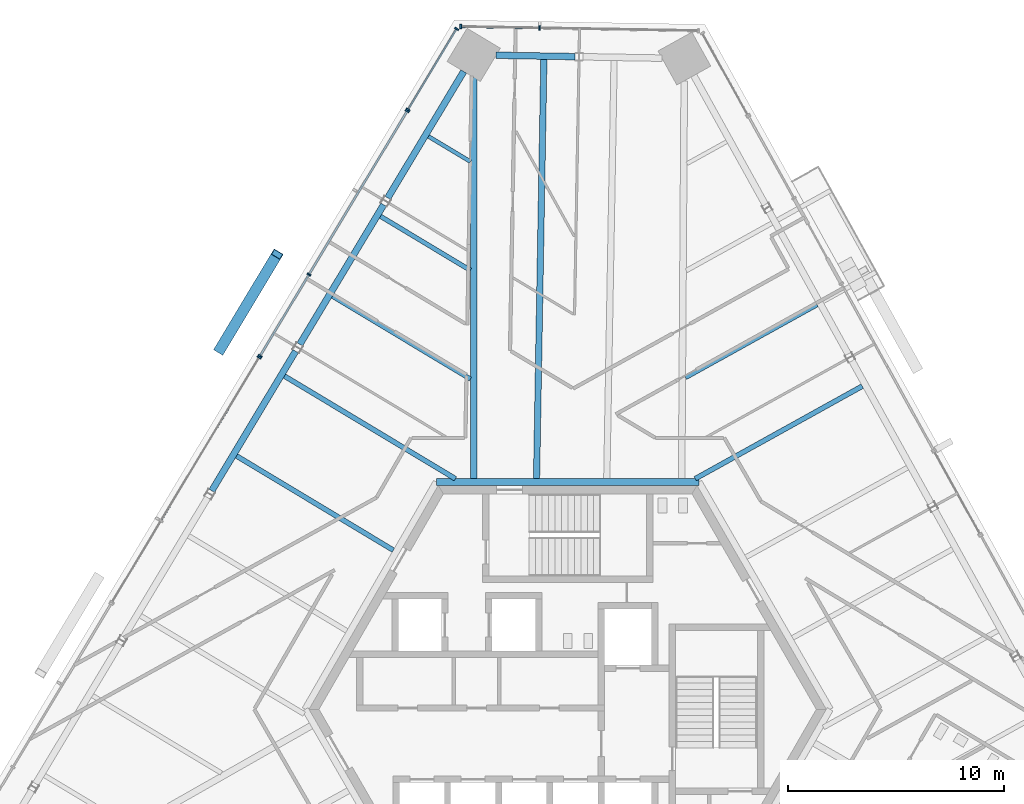
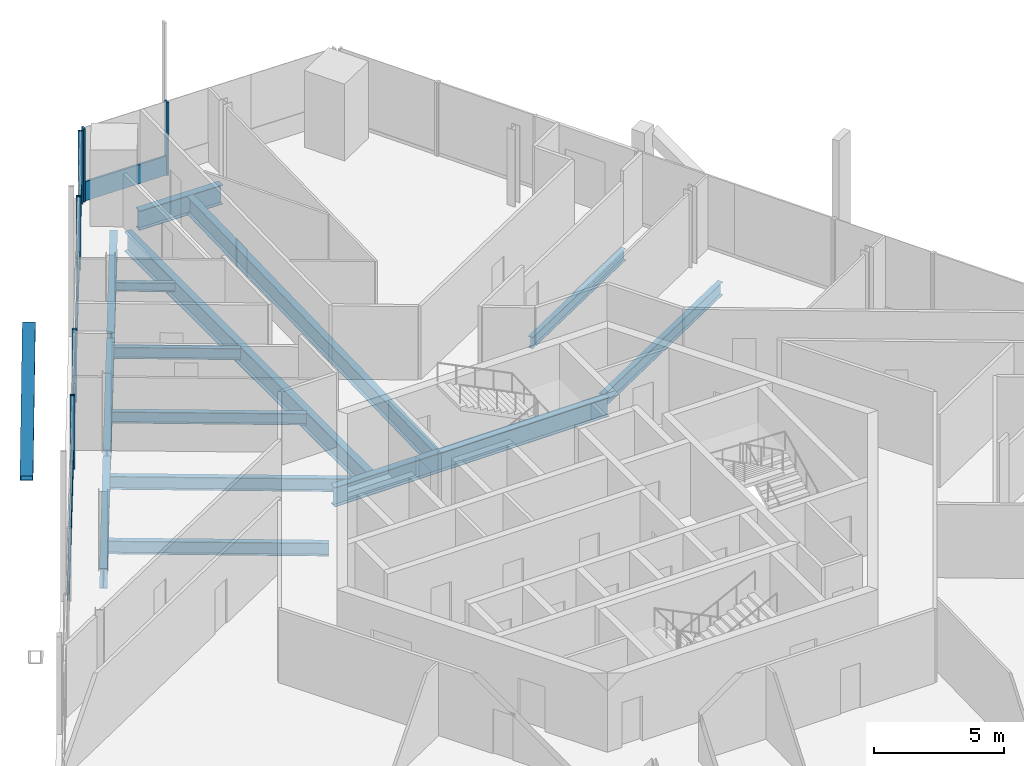
# One storey, part 8 of 21: 14 beams, 14 members, 4 elements without a shape of their own.
"""IFC4 building model written with IfcOpenShell, lengths in metres."""

import ifcopenshell
import ifcopenshell.guid

model = None  # the IFC model being written
_history = None  # IfcOwnerHistory: only IFC2X3 demands one
_inside = {}  # id of a spatial element -> (the spatial element, [elements in it])
_under = {}  # id of a project, library or spatial element -> (it, [spatial elements below it])
_declared = {}  # id of a project -> (the project, [libraries it declares])
_typed = {}  # id of a type object -> (the type object, [elements of that type])
_made_of = {}  # id of a material, layer set ... -> (it, [elements and type objects made of it])


def new_model(schema):
    """Start an empty IFC model of exactly this schema.

    Asked for "IFC4X3", IfcOpenShell would pick the latest addendum, in which some entities
    have other attributes; the version numbers below select the first issue.
    IFC2X3 requires an IfcOwnerHistory on every rooted entity: one is made here for all.
    """
    global model, _history
    if schema == "IFC4X3":
        model = ifcopenshell.file(schema_version=(4, 3, 0, 0))
    else:
        model = ifcopenshell.file(schema=schema)
    _inside.clear()
    _under.clear()
    _declared.clear()
    _typed.clear()
    _made_of.clear()
    _history = None
    if model.schema == "IFC2X3":
        org = make("IfcOrganization", Name="unknown")
        user = make(
            "IfcPersonAndOrganization",
            ThePerson=make("IfcPerson", FamilyName="unknown"),
            TheOrganization=org,
        )
        app = make(
            "IfcApplication",
            ApplicationDeveloper=org,
            Version="unknown",
            ApplicationFullName="unknown",
            ApplicationIdentifier="unknown",
        )
        _history = make(
            "IfcOwnerHistory",
            OwningUser=user,
            OwningApplication=app,
            ChangeAction="ADDED",
            CreationDate=0,
        )
    return model


def make(cls, **values):
    """One entity of the class cls with the attributes given. An attribute that is None is left unset."""
    return model.create_entity(
        cls, **{name: value for name, value in values.items() if value is not None}
    )


def rooted(cls, **values):
    """An entity with a GlobalId (a new one), such as an element, a storey or a relation."""
    return make(cls, GlobalId=ifcopenshell.guid.new(), OwnerHistory=_history, **values)


def si_unit(unit_type, name, prefix=None):
    """IfcSIUnit, for example si_unit("LENGTHUNIT", "METRE", prefix="MILLI")."""
    return make("IfcSIUnit", UnitType=unit_type, Prefix=prefix, Name=name)


def assignment(units):
    """IfcUnitAssignment: the units of a project."""
    return None if units is None else make("IfcUnitAssignment", Units=units)


def point(xyz):
    """IfcCartesianPoint."""
    return None if xyz is None else make("IfcCartesianPoint", Coordinates=xyz)


def direction(xyz):
    """IfcDirection."""
    return None if xyz is None else make("IfcDirection", DirectionRatios=xyz)


def frame(location, z_axis=None, x_axis=None):
    """IfcAxis2Placement3D, a coordinate frame: its origin and axes. An axis left out is left unset."""
    return make(
        "IfcAxis2Placement3D",
        Location=point(location),
        Axis=direction(z_axis),
        RefDirection=direction(x_axis),
    )


def frame_2d(location, x_axis=None):
    """IfcAxis2Placement2D, a coordinate frame in the plane: its origin and x axis."""
    return make(
        "IfcAxis2Placement2D", Location=point(location), RefDirection=direction(x_axis)
    )


def origin():
    """The frame at (0, 0, 0) with its axes left unset."""
    return frame((0.0, 0.0, 0.0))


def origin_2d():
    """The frame at (0, 0) in the plane with its x axis left unset."""
    return frame_2d((0.0, 0.0))


def place(relative_to, where):
    """IfcLocalPlacement: puts the frame where relative to a parent placement (None: the world)."""
    return make(
        "IfcLocalPlacement", PlacementRelTo=relative_to, RelativePlacement=where
    )


def context(
    kind, dimensions, precision=None, world=None, true_north=None, identifier=None
):
    """IfcGeometricRepresentationContext, for example the 3D "Model" context."""
    return make(
        "IfcGeometricRepresentationContext",
        ContextIdentifier=identifier,
        ContextType=kind,
        CoordinateSpaceDimension=dimensions,
        Precision=precision,
        WorldCoordinateSystem=world,
        TrueNorth=true_north,
    )


def subcontext(parent, identifier, kind, view, scale=None):
    """IfcGeometricRepresentationSubContext, for example "Body" below "Model"."""
    return make(
        "IfcGeometricRepresentationSubContext",
        ContextIdentifier=identifier,
        ContextType=kind,
        ParentContext=parent,
        TargetScale=scale,
        TargetView=view,
    )


def project(units=None, contexts=None):
    """IfcProject with its units and contexts."""
    return rooted(
        "IfcProject",
        Name="project",
        RepresentationContexts=contexts,
        UnitsInContext=assignment(units),
    )


def spatial(cls, under=None, at=None, **own):
    """A site, building, storey or space (cls), placed at a placement, below another one or the project."""
    s = rooted(cls, ObjectPlacement=at, **own)
    if under is not None:
        _under.setdefault(under.id(), (under, []))[1].append(s)
    return s


def profile(cls, at=None, kind="AREA", **sizes):
    """A parametric profile (cls). Its sizes go by their IFC names, for example OverallWidth=200.0."""
    return make(cls, ProfileType=kind, Position=at, **sizes)


def rectangle(**sizes):
    """IfcRectangleProfileDef."""
    return profile("IfcRectangleProfileDef", **sizes)


def hollow_rectangle(**sizes):
    """IfcRectangleHollowProfileDef."""
    return profile("IfcRectangleHollowProfileDef", **sizes)


def i_section(**sizes):
    """IfcIShapeProfileDef."""
    return profile("IfcIShapeProfileDef", **sizes)


def extrude(swept, where, along, depth):
    """IfcExtrudedAreaSolid: the profile swept, set in the frame where, extruded along a direction by depth."""
    return make(
        "IfcExtrudedAreaSolid",
        SweptArea=swept,
        Position=where,
        ExtrudedDirection=direction(along),
        Depth=depth,
    )


def shape(context_of_items, identifier, shape_type, items):
    """IfcShapeRepresentation: the items that make up one representation, for example the "Body"."""
    return make(
        "IfcShapeRepresentation",
        ContextOfItems=context_of_items,
        RepresentationIdentifier=identifier,
        RepresentationType=shape_type,
        Items=items,
    )


def source(mapping_origin, context_of_items, identifier, shape_type, items):
    """IfcRepresentationMap: a shape defined once, which mapped items show again and again."""
    return make(
        "IfcRepresentationMap",
        MappingOrigin=mapping_origin,
        MappedRepresentation=shape(context_of_items, identifier, shape_type, items),
    )


def transform(
    local_origin,
    x_axis=None,
    y_axis=None,
    z_axis=None,
    scale=None,
    scale2=None,
    scale3=None,
    uniform=True,
):
    """IfcCartesianTransformationOperator3D, or its non-uniform kind. x_axis, y_axis, z_axis: its Axis1, 2, 3."""
    if uniform:
        return make(
            "IfcCartesianTransformationOperator3D",
            Axis1=direction(x_axis),
            Axis2=direction(y_axis),
            LocalOrigin=point(local_origin),
            Scale=scale,
            Axis3=direction(z_axis),
        )
    return make(
        "IfcCartesianTransformationOperator3DnonUniform",
        Axis1=direction(x_axis),
        Axis2=direction(y_axis),
        LocalOrigin=point(local_origin),
        Scale=scale,
        Axis3=direction(z_axis),
        Scale2=scale2,
        Scale3=scale3,
    )


def mapped(mapping_source, mapping_target):
    """IfcMappedItem: shows the shape of a source again, moved by a transform."""
    return make(
        "IfcMappedItem", MappingSource=mapping_source, MappingTarget=mapping_target
    )


def material(Name=None, Category=None):
    """IfcMaterial."""
    return make("IfcMaterial", Name=Name, Category=Category)


def material_profile(
    of_material, cross_section, Name=None, Category=None, Priority=None
):
    """IfcMaterialProfile: a cross section and its material."""
    return make(
        "IfcMaterialProfile",
        Name=Name,
        Material=of_material,
        Profile=cross_section,
        Priority=Priority,
        Category=Category,
    )


def profile_set(profiles, Name=None, composite=None):
    """IfcMaterialProfileSet."""
    return make(
        "IfcMaterialProfileSet",
        Name=Name,
        MaterialProfiles=profiles,
        CompositeProfile=composite,
    )


def made_of(thing, what):
    """Note that an element or type object is made of a material, layer set ...; save() writes the relation."""
    if what is not None:
        _made_of.setdefault(what.id(), (what, []))[1].append(thing)
    return thing


def type_object(cls, material=None, **own):
    """A type object (cls), such as IfcWallType, which elements share."""
    return made_of(rooted(cls, **own), material)


def element(
    cls,
    number,
    at=None,
    inside=None,
    cuts=None,
    type_object=None,
    material=None,
    context=None,
    identifier="Body",
    shape_type=None,
    held_by="IfcProductDefinitionShape",
    body=None,
    shapes=None,
    **own,
):
    """One element of the class cls, such as IfcWall. Its Tag is "e" and its number.

    at: its placement. inside: the storey or other place that contains it. cuts: it is an
    opening in that element (IfcRelVoidsElement). A single representation is given by context,
    identifier, shape_type and body (its items); several are given by shapes. held_by: the class
    of the entity that holds the representations. save() writes the other relations.
    """
    e = rooted(cls, Tag="e%d" % number, ObjectPlacement=at, **own)
    if body is not None:
        shapes = [shape(context, identifier, shape_type, body)]
    if shapes is not None:
        e.Representation = make(held_by, Representations=shapes)
    if inside is not None:
        _inside.setdefault(inside.id(), (inside, []))[1].append(e)
    if cuts is not None:
        rooted(
            "IfcRelVoidsElement", RelatingBuildingElement=cuts, RelatedOpeningElement=e
        )
    if type_object is not None:
        _typed.setdefault(type_object.id(), (type_object, []))[1].append(e)
    return made_of(e, material)


def aggregate(whole, parts):
    """IfcRelAggregates: a whole, such as a stair, and the parts it consists of."""
    return rooted("IfcRelAggregates", RelatingObject=whole, RelatedObjects=parts)


def save(model, path):
    """Write the relations noted so far, then the file.

    IfcRelAggregates (storeys below a building ...), IfcRelContainedInSpatialStructure (elements
    in a storey), IfcRelDefinesByType, IfcRelAssociatesMaterial and IfcRelDeclares: one each for
    every whole, place, type object, material and project.
    """
    for whole, parts in _under.values():
        aggregate(whole, parts)
    for where, things in _inside.values():
        rooted(
            "IfcRelContainedInSpatialStructure",
            RelatedElements=things,
            RelatingStructure=where,
        )
    for kind, things in _typed.values():
        rooted("IfcRelDefinesByType", RelatedObjects=things, RelatingType=kind)
    for what, things in _made_of.values():
        rooted("IfcRelAssociatesMaterial", RelatedObjects=things, RelatingMaterial=what)
    for by, libraries in _declared.values():
        rooted("IfcRelDeclares", RelatingContext=by, RelatedDefinitions=libraries)
    model.write(path)


model = new_model("IFC4")

# Units and contexts
model_context = context("Model", 3, precision=1e-05, world=origin(), true_north=direction((0.0, 1.0)))
body_context = subcontext(model_context, "Body", "Model", "MODEL_VIEW")
ifc_project = project(units=[si_unit("LENGTHUNIT", "METRE"), si_unit("AREAUNIT", "SQUARE_METRE"), si_unit("VOLUMEUNIT", "CUBIC_METRE"), si_unit("PLANEANGLEUNIT", "RADIAN"), si_unit("MASSUNIT", "GRAM", prefix="KILO")], contexts=[model_context])

# Site, building, storey
site_placement = place(None, origin())
site = spatial("IfcSite", under=ifc_project, at=site_placement, CompositionType="ELEMENT")
building_placement = place(site_placement, origin())
building = spatial("IfcBuilding", under=site, at=building_placement, Name="Triune Harvest Tower", CompositionType="ELEMENT")
storey_placement = place(building_placement, frame((0.0, 0.0, 201.5)))
storey = spatial("IfcBuildingStorey", under=building, at=storey_placement, Name="L52", CompositionType="ELEMENT", Elevation=201.5)

# Beams
ifc_material_1 = material(Name="Steel ASTM A992 Gr 50", Category="steel")
ifc_material_profile_1 = material_profile(ifc_material_1, i_section(OverallWidth=0.3046875, OverallDepth=0.914306640625, WebThickness=0.0166015625, FlangeThickness=0.02587890625, at=origin_2d()), Name="W36x160")
ifc_profile_set_1 = profile_set([ifc_material_profile_1], Name="Steel ASTM A992 Gr 50")
beam_type_1 = type_object("IfcBeamType", Name="CG-1 Core ring girder W36x160", PredefinedType="BEAM", material=ifc_profile_set_1)
shared_shape_1 = source(origin(), body_context, "Body", "SweptSolid", [
    extrude(i_section(OverallWidth=0.3046875, OverallDepth=0.914306640625, WebThickness=0.0166015625, FlangeThickness=0.02587890625, at=origin_2d()), origin(), (0.0, 0.0, 1.0), 12.17578125),
])
beam_1_placement = place(storey_placement, frame((6.087890625, 10.544677734375, -0.6171875), z_axis=(-1.0, 0.0, 0.0), x_axis=(0.0, -1.0, 0.0)))
element("IfcBeam", 1, at=beam_1_placement, inside=storey, type_object=beam_type_1, Name="beam/L52/CG2", PredefinedType="BEAM", context=body_context, shape_type="MappedRepresentation", body=[
    mapped(shared_shape_1, transform((0.0, 0.0, 0.0), scale=1.0)),
])
ifc_material_2 = material(Name="Steel ASTM A992 Gr 50", Category="steel")
ifc_material_profile_2 = material_profile(ifc_material_2, i_section(OverallWidth=0.3046875, OverallDepth=0.914306640625, WebThickness=0.0166015625, FlangeThickness=0.02587890625, at=origin_2d()), Name="W36x160")
ifc_profile_set_2 = profile_set([ifc_material_profile_2], Name="Steel ASTM A992 Gr 50")
beam_type_2 = type_object("IfcBeamType", Name="SB-1 Spandrel beam W36x160", PredefinedType="SPANDREL", material=ifc_profile_set_2)
shared_shape_2 = source(origin(), body_context, "Body", "SweptSolid", [
    extrude(i_section(OverallWidth=0.3046875, OverallDepth=0.914306640625, WebThickness=0.0166015625, FlangeThickness=0.02587890625, at=origin_2d()), origin(), (0.0, 0.0, 1.0), 3.66357421875),
])
beam_2_placement = place(storey_placement, frame((0.343017578125, 30.281494140625, -0.6171875), z_axis=(-0.999846408449, 0.01752596677, 0.0), x_axis=(-0.01752596677, -0.999846408449, 0.0)))
element("IfcBeam", 2, at=beam_2_placement, inside=storey, type_object=beam_type_2, Name="beam/L52/SB8", PredefinedType="SPANDREL", context=body_context, shape_type="MappedRepresentation", body=[
    mapped(shared_shape_2, transform((0.0, 0.0, 0.0), scale=1.0)),
])
shared_shape_3 = source(origin(), body_context, "Body", "SweptSolid", [
    extrude(i_section(OverallWidth=0.3046875, OverallDepth=0.914306640625, WebThickness=0.0166015625, FlangeThickness=0.02587890625, at=origin_2d()), origin(), (0.0, 0.0, 1.0), 6.842041015625),
])
beam_3_placement = place(storey_placement, frame((-4.822509765625, 29.59228515625, -0.6171875), z_axis=(-0.515041383774, -0.857165312527, 0.0), x_axis=(0.857165312527, -0.515041383774, 0.0)))
element("IfcBeam", 3, at=beam_3_placement, inside=storey, type_object=beam_type_2, Name="beam/L52/SB9", PredefinedType="SPANDREL", context=body_context, shape_type="MappedRepresentation", body=[
    mapped(shared_shape_3, transform((0.0, 0.0, 0.0), scale=1.0)),
])
shared_shape_4 = source(origin(), body_context, "Body", "SweptSolid", [
    extrude(i_section(OverallWidth=0.3046875, OverallDepth=0.914306640625, WebThickness=0.0166015625, FlangeThickness=0.02587890625, at=origin_2d()), origin(), (0.0, 0.0, 1.0), 7.556640625),
])
for number, where, z_axis, x_axis, name in (
    (4, (-8.537353515625, 23.409912109375, -0.6171875), (-0.515027794287, -0.857173477839, 0.0), (0.857173477839, -0.515027794287, 0.0), "beam/L52/SB10"),
    (5, (-12.6201171875, 16.614990234375, -0.6171875), (-0.515027794287, -0.857173477839, 0.0), (0.857173477839, -0.515027794287, 0.0), "beam/L52/SB11"),
):
    element("IfcBeam", number, at=place(storey_placement, frame(where, z_axis=z_axis, x_axis=x_axis)), inside=storey, type_object=beam_type_2, Name=name, PredefinedType="SPANDREL", context=body_context, shape_type="MappedRepresentation", body=[
        mapped(shared_shape_4, transform((0.0, 0.0, 0.0), scale=1.0)),
    ])
ifc_material_3 = material(Name="Steel ASTM A992 Gr 50", Category="steel")
ifc_material_profile_3 = material_profile(ifc_material_3, i_section(OverallWidth=0.307373046875, OverallDepth=0.922119140625, WebThickness=0.018310546875, FlangeThickness=0.030029296875, at=origin_2d()), Name="W36x182")
ifc_profile_set_3 = profile_set([ifc_material_profile_3], Name="Steel ASTM A992 Gr 50")
beam_type_3 = type_object("IfcBeamType", Name="HG-2 Hip girder W36x182", PredefinedType="BEAM", material=ifc_profile_set_3)
shared_shape_5 = source(origin(), body_context, "Body", "SweptSolid", [
    extrude(i_section(OverallWidth=0.307373046875, OverallDepth=0.922119140625, WebThickness=0.018310546875, FlangeThickness=0.030029296875, at=origin_2d()), origin(), (0.0, 0.0, 1.0), 18.61669921875),
])
beam_4_placement = place(storey_placement, frame((-4.359130859375, 29.313720703125, -0.62109375), z_axis=(0.0, -1.0, 0.0), x_axis=(1.0, 0.0, 0.0)))
element("IfcBeam", 6, at=beam_4_placement, inside=storey, type_object=beam_type_3, Name="beam/L52/HG4", PredefinedType="BEAM", context=body_context, shape_type="MappedRepresentation", body=[
    mapped(shared_shape_5, transform((0.0, 0.0, 0.0), scale=1.0)),
])
ifc_material_4 = material(Name="Steel ASTM A992 Gr 50", Category="steel")
ifc_material_profile_4 = material_profile(ifc_material_4, i_section(OverallWidth=0.180908203125, OverallDepth=0.41650390625, WebThickness=0.010986328125, FlangeThickness=0.01806640625, at=origin_2d()), Name="W16x57")
ifc_profile_set_4 = profile_set([ifc_material_profile_4], Name="Steel ASTM A992 Gr 50")
beam_type_4 = type_object("IfcBeamType", Name="JT-1 Floor joist W16x57", PredefinedType="JOIST", material=ifc_profile_set_4)
shared_shape_6 = source(origin(), body_context, "Body", "SweptSolid", [
    extrude(i_section(OverallWidth=0.180908203125, OverallDepth=0.41650390625, WebThickness=0.010986328125, FlangeThickness=0.01806640625, at=origin_2d()), origin(), (0.0, 0.0, 1.0), 2.266357421875),
])
beam_5_placement = place(storey_placement, frame((-6.455322265625, 26.578857421875, -0.368408203125), z_axis=(0.857169580884, -0.515034280031, 0.0), x_axis=(0.515034280031, 0.857169580884, 0.0)))
element("IfcBeam", 7, at=beam_5_placement, inside=storey, type_object=beam_type_4, Name="beam/L52/JT13", PredefinedType="JOIST", context=body_context, shape_type="MappedRepresentation", body=[
    mapped(shared_shape_6, transform((0.0, 0.0, 0.0), scale=1.0)),
])
ifc_material_5 = material(Name="Steel ASTM A992 Gr 50", Category="steel")
ifc_material_profile_5 = material_profile(ifc_material_5, i_section(OverallWidth=0.22900390625, OverallDepth=0.612060546875, WebThickness=0.011962890625, FlangeThickness=0.01953125, at=origin_2d()), Name="W24x84")
ifc_profile_set_5 = profile_set([ifc_material_profile_5], Name="Steel ASTM A992 Gr 50")
beam_type_5 = type_object("IfcBeamType", Name="JT-3 Floor joist W24x84", PredefinedType="JOIST", material=ifc_profile_set_5)
shared_shape_7 = source(origin(), body_context, "Body", "SweptSolid", [
    extrude(i_section(OverallWidth=0.22900390625, OverallDepth=0.612060546875, WebThickness=0.011962890625, FlangeThickness=0.01953125, at=origin_2d()), origin(), (0.0, 0.0, 1.0), 9.247314453125),
])
beam_6_placement = place(storey_placement, frame((-13.136474609375, 15.459716796875, -0.466064453125), z_axis=(0.857168952485, -0.515035325872, 0.0), x_axis=(0.515035325872, 0.857168952485, 0.0)))
element("IfcBeam", 8, at=beam_6_placement, inside=storey, type_object=beam_type_5, Name="beam/L52/JT16", PredefinedType="JOIST", context=body_context, shape_type="MappedRepresentation", body=[
    mapped(shared_shape_7, transform((0.0, 0.0, 0.0), scale=1.0)),
])
shared_shape_8 = source(origin(), body_context, "Body", "SweptSolid", [
    extrude(i_section(OverallWidth=0.22900390625, OverallDepth=0.612060546875, WebThickness=0.011962890625, FlangeThickness=0.01953125, at=origin_2d()), origin(), (0.0, 0.0, 1.0), 8.85888671875),
])
beam_7_placement = place(storey_placement, frame((13.66796875, 14.991943359375, -0.466064453125), z_axis=(-0.874614472557, -0.484819063563, 0.0), x_axis=(0.484819063563, -0.874614472557, 0.0)))
element("IfcBeam", 9, at=beam_7_placement, inside=storey, type_object=beam_type_5, Name="beam/L52/JT7", PredefinedType="JOIST", context=body_context, shape_type="MappedRepresentation", body=[
    mapped(shared_shape_8, transform((0.0, 0.0, 0.0), scale=1.0)),
])
ifc_material_6 = material(Name="Steel ASTM A992 Gr 50", Category="steel")
ifc_material_profile_6 = material_profile(ifc_material_6, i_section(OverallWidth=0.2099609375, OverallDepth=0.535888671875, WebThickness=0.010986328125, FlangeThickness=0.017333984375, at=origin_2d()), Name="W21x68")
ifc_profile_set_6 = profile_set([ifc_material_profile_6], Name="Steel ASTM A992 Gr 50")
beam_type_6 = type_object("IfcBeamType", Name="JT-2 Floor joist W21x68", PredefinedType="JOIST", material=ifc_profile_set_6)
shared_shape_9 = source(origin(), body_context, "Body", "SweptSolid", [
    extrude(i_section(OverallWidth=0.2099609375, OverallDepth=0.535888671875, WebThickness=0.010986328125, FlangeThickness=0.017333984375, at=origin_2d()), origin(), (0.0, 0.0, 1.0), 6.97265625),
])
beam_8_placement = place(storey_placement, frame((11.57177734375, 18.773681640625, -0.427978515625), z_axis=(-0.874620980943, -0.484807322236, 0.0), x_axis=(0.484807322236, -0.874620980943, 0.0)))
element("IfcBeam", 10, at=beam_8_placement, inside=storey, type_object=beam_type_6, Name="beam/L52/JT8", PredefinedType="JOIST", context=body_context, shape_type="MappedRepresentation", body=[
    mapped(shared_shape_9, transform((0.0, 0.0, 0.0), scale=1.0)),
])
ifc_material_7 = material(Name="Steel ASTM A992 Gr 50", Category="steel")
ifc_material_profile_7 = material_profile(ifc_material_7, i_section(OverallWidth=0.2919921875, OverallDepth=0.8408203125, WebThickness=0.0146484375, FlangeThickness=0.021728515625, at=origin_2d()), Name="W33x130")
ifc_profile_set_7 = profile_set([ifc_material_profile_7], Name="Steel ASTM A992 Gr 50")
beam_type_7 = type_object("IfcBeamType", Name="JT-6 Floor joist W33x130", PredefinedType="JOIST", material=ifc_profile_set_7)
shared_shape_10 = source(origin(), body_context, "Body", "SweptSolid", [
    extrude(i_section(OverallWidth=0.2919921875, OverallDepth=0.8408203125, WebThickness=0.0146484375, FlangeThickness=0.021728515625, at=origin_2d()), origin(), (0.0, 0.0, 1.0), 19.460205078125),
])
beam_9_placement = place(storey_placement, frame((-1.103515625, 30.154296875, -0.580322265625), z_axis=(-0.017450947707, -0.999847720618, 0.0), x_axis=(0.999847720618, -0.017450947707, 0.0)))
element("IfcBeam", 11, at=beam_9_placement, inside=storey, type_object=beam_type_7, Name="beam/L52/JT12", PredefinedType="JOIST", context=body_context, shape_type="MappedRepresentation", body=[
    mapped(shared_shape_10, transform((0.0, 0.0, 0.0), scale=1.0)),
])
shared_shape_11 = source(origin(), body_context, "Body", "SweptSolid", [
    extrude(i_section(OverallWidth=0.2099609375, OverallDepth=0.535888671875, WebThickness=0.010986328125, FlangeThickness=0.017333984375, at=origin_2d()), origin(), (0.0, 0.0, 1.0), 4.864501953125),
])
beam_10_placement = place(storey_placement, frame((-8.682373046875, 22.87255859375, -0.427978515625), z_axis=(0.857169483424, -0.515034442233, 0.0), x_axis=(0.515034442233, 0.857169483424, 0.0)))
element("IfcBeam", 12, at=beam_10_placement, inside=storey, type_object=beam_type_6, Name="beam/L52/JT14", PredefinedType="JOIST", context=body_context, shape_type="MappedRepresentation", body=[
    mapped(shared_shape_11, transform((0.0, 0.0, 0.0), scale=1.0)),
])
shared_shape_12 = source(origin(), body_context, "Body", "SweptSolid", [
    extrude(i_section(OverallWidth=0.2099609375, OverallDepth=0.535888671875, WebThickness=0.010986328125, FlangeThickness=0.017333984375, at=origin_2d()), origin(), (0.0, 0.0, 1.0), 7.462646484375),
])
beam_11_placement = place(storey_placement, frame((-10.909423828125, 19.166259765625, -0.427978515625), z_axis=(0.857169453827, -0.515034491492, 0.0), x_axis=(0.515034491492, 0.857169453827, 0.0)))
element("IfcBeam", 13, at=beam_11_placement, inside=storey, type_object=beam_type_6, Name="beam/L52/JT15", PredefinedType="JOIST", context=body_context, shape_type="MappedRepresentation", body=[
    mapped(shared_shape_12, transform((0.0, 0.0, 0.0), scale=1.0)),
])
shared_shape_13 = source(origin(), body_context, "Body", "SweptSolid", [
    extrude(i_section(OverallWidth=0.22900390625, OverallDepth=0.612060546875, WebThickness=0.011962890625, FlangeThickness=0.01953125, at=origin_2d()), origin(), (0.0, 0.0, 1.0), 8.48583984375),
])
beam_12_placement = place(storey_placement, frame((-15.36328125, 11.75341796875, -0.466064453125), z_axis=(0.857160193187, -0.515049903616, 0.0), x_axis=(0.515049903616, 0.857160193187, 0.0)))
element("IfcBeam", 14, at=beam_12_placement, inside=storey, type_object=beam_type_5, Name="beam/L52/JT17", PredefinedType="JOIST", context=body_context, shape_type="MappedRepresentation", body=[
    mapped(shared_shape_13, transform((0.0, 0.0, 0.0), scale=1.0)),
])

# Member
ifc_material_8 = material(Name="Steel ASTM A572 Gr 50", Category="steel")
ifc_material_profile_8 = material_profile(ifc_material_8, hollow_rectangle(XDim=0.5, YDim=0.5, WallThickness=0.030029296875, at=origin_2d()), Name="Box 500x500x30")
ifc_profile_set_8 = profile_set([ifc_material_profile_8], Name="Steel ASTM A572 Gr 50")
member_type_1 = type_object("IfcMemberType", Name="BR-3 Brace Box 500x500x30", PredefinedType="BRACE", material=ifc_profile_set_8)
shared_shape_14 = source(origin(), body_context, "Body", "SweptSolid", [
    extrude(hollow_rectangle(XDim=0.5, YDim=0.5, WallThickness=0.030029296875, at=origin_2d()), origin(), (0.0, 0.0, 1.0), 6.30322265625),
])
member_1_placement = place(storey_placement, frame((-16.143310546875, 16.677490234375, 0.0), z_axis=(0.422773454424, 0.703589537298, 0.57116054594), x_axis=(-0.857159658272, 0.515050793836, 0.0)))
element("IfcMember", 15, at=member_1_placement, inside=storey, type_object=member_type_1, Name="brace/B5-F3/d2/7", PredefinedType="BRACE", context=body_context, shape_type="MappedRepresentation", body=[
    mapped(shared_shape_14, transform((0.0, 0.0, 0.0), scale=1.0)),
])

# Curtain wall, members
ifc_material_9 = material(Name="Aluminium bronze anodised", Category="aluminium")
curtain_wall_type_1 = type_object("IfcCurtainWallType", Name="CW-1 Tower stick curtain wall", PredefinedType="NOTDEFINED", material=ifc_material_9)
curtain_wall_1_placement = place(storey_placement, origin())
curtain_wall_1 = element("IfcCurtainWall", 16, at=curtain_wall_1_placement, inside=storey, type_object=curtain_wall_type_1, Name="CW-1 B5-F2 L52 run 1")
ifc_material_10 = material(Name="Aluminium bronze anodised", Category="aluminium")
ifc_material_profile_9 = material_profile(ifc_material_10, rectangle(XDim=0.199951171875, YDim=0.074951171875, at=origin_2d()), Name="MU-1 mullion 75 x 200")
ifc_profile_set_9 = profile_set([ifc_material_profile_9], Name="Aluminium bronze anodised")
member_type_2 = type_object("IfcMemberType", Name="MU-1 mullion 75 x 200", PredefinedType="MULLION", material=ifc_profile_set_9)
shared_shape_15 = source(origin(), body_context, "Body", "SweptSolid", [
    extrude(rectangle(XDim=0.199951171875, YDim=0.074951171875, at=origin_2d()), origin(), (0.0, 0.0, 1.0), 3.43994140625),
])
member_2_placement = place(storey_placement, frame((-1.298583984375, 31.612548828125, 0.0), z_axis=(0.0, 0.0, 1.0), x_axis=(-0.017446318452, -0.999847801404, 0.0)))
member_2 = element("IfcMember", 17, at=member_2_placement, type_object=member_type_2, Name="CW-1 mullion B5-F2 1.3", PredefinedType="MULLION", context=body_context, shape_type="MappedRepresentation", body=[
    mapped(shared_shape_15, transform((0.0, 0.0, 0.0), scale=1.0)),
])
member_3_placement = place(storey_placement, frame((-4.960693359375, 31.676513671875, 0.0), z_axis=(0.0, 0.0, 1.0), x_axis=(-0.017446318452, -0.999847801404, 0.0)))
member_3 = element("IfcMember", 18, at=member_3_placement, type_object=member_type_2, Name="CW-1 mullion B5-F2 1.4", PredefinedType="MULLION", context=body_context, shape_type="MappedRepresentation", body=[
    mapped(shared_shape_15, transform((0.0, 0.0, 0.0), scale=1.0)),
])

curtain_wall_2_placement = place(storey_placement, origin())
curtain_wall_2 = element("IfcCurtainWall", 19, at=curtain_wall_2_placement, inside=storey, type_object=curtain_wall_type_1, Name="CW-1 B5-F3 L52 run 1")
member_4_placement = place(storey_placement, frame((-5.15380859375, 31.5693359375, 0.0), z_axis=(0.0, 0.0, 1.0), x_axis=(0.8571677681, -0.515037297029, 0.0)))
member_4 = element("IfcMember", 20, at=member_4_placement, type_object=member_type_2, Name="CW-1 mullion B5-F3 1.1", PredefinedType="MULLION", context=body_context, shape_type="MappedRepresentation", body=[
    mapped(shared_shape_15, transform((0.0, 0.0, 0.0), scale=1.0)),
])
member_5_placement = place(storey_placement, frame((-7.404052734375, 27.82421875, 0.0), z_axis=(0.0, 0.0, 1.0), x_axis=(0.8571677681, -0.515037297029, 0.0)))
member_5 = element("IfcMember", 21, at=member_5_placement, type_object=member_type_2, Name="CW-1 mullion B5-F3 1.2", PredefinedType="MULLION", context=body_context, shape_type="MappedRepresentation", body=[
    mapped(shared_shape_15, transform((0.0, 0.0, 0.0), scale=1.0)),
])

ifc_material_11 = material(Name="Aluminium bronze anodised", Category="aluminium")
curtain_wall_type_2 = type_object("IfcCurtainWallType", Name="CW-7 Tower stick curtain wall with insulated spandrel infill", PredefinedType="NOTDEFINED", material=ifc_material_11)
curtain_wall_3_placement = place(storey_placement, origin())
curtain_wall_3 = element("IfcCurtainWall", 22, at=curtain_wall_3_placement, inside=storey, type_object=curtain_wall_type_2, Name="CW-7 B5-F3 L52 run 1001")
member_6_placement = place(storey_placement, frame((-7.442626953125, 27.760009765625, 0.0), z_axis=(0.0, 0.0, 1.0), x_axis=(0.857166489407, -0.51503942513, 0.0)))
member_6 = element("IfcMember", 23, at=member_6_placement, type_object=member_type_2, Name="CW-7 mullion B5-F3 1001.1", PredefinedType="MULLION", context=body_context, shape_type="MappedRepresentation", body=[
    mapped(shared_shape_15, transform((0.0, 0.0, 0.0), scale=1.0)),
])
member_7_placement = place(storey_placement, frame((-12.001220703125, 20.173095703125, 0.0), z_axis=(0.0, 0.0, 1.0), x_axis=(0.857166489407, -0.51503942513, 0.0)))
member_7 = element("IfcMember", 24, at=member_7_placement, type_object=member_type_2, Name="CW-7 mullion B5-F3 1001.3", PredefinedType="MULLION", context=body_context, shape_type="MappedRepresentation", body=[
    mapped(shared_shape_15, transform((0.0, 0.0, 0.0), scale=1.0)),
])
member_8_placement = place(storey_placement, frame((-14.27099609375, 16.395751953125, 0.0), z_axis=(0.0, 0.0, 1.0), x_axis=(0.857166489407, -0.51503942513, 0.0)))
member_8 = element("IfcMember", 25, at=member_8_placement, type_object=member_type_2, Name="CW-7 mullion B5-F3 1001.4", PredefinedType="MULLION", context=body_context, shape_type="MappedRepresentation", body=[
    mapped(shared_shape_15, transform((0.0, 0.0, 0.0), scale=1.0)),
])

# Curtain wall, member
curtain_wall_4_placement = place(storey_placement, origin())
curtain_wall_4 = element("IfcCurtainWall", 26, at=curtain_wall_4_placement, inside=storey, type_object=curtain_wall_type_1, Name="CW-1 B5-F3 L52 run 2001")
member_9_placement = place(storey_placement, frame((-14.3095703125, 16.33154296875, 0.0), z_axis=(0.0, 0.0, 1.0), x_axis=(0.857171790128, -0.515030603177, 0.0)))
member_9 = element("IfcMember", 27, at=member_9_placement, type_object=member_type_2, Name="CW-1 mullion B5-F3 2001.1", PredefinedType="MULLION", context=body_context, shape_type="MappedRepresentation", body=[
    mapped(shared_shape_15, transform((0.0, 0.0, 0.0), scale=1.0)),
])

# Member
ifc_material_12 = material(Name="Aluminium bronze anodised", Category="aluminium")
ifc_material_profile_10 = material_profile(ifc_material_12, rectangle(XDim=0.090087890625, YDim=0.89990234375, at=origin_2d()), Name="TR-1 transom 90 x 900")
ifc_profile_set_10 = profile_set([ifc_material_profile_10], Name="Aluminium bronze anodised")
member_type_3 = type_object("IfcMemberType", Name="TR-1 transom 90 x 900", PredefinedType="USERDEFINED", material=ifc_profile_set_10)
shared_shape_16 = source(origin(), body_context, "Body", "SweptSolid", [
    extrude(rectangle(XDim=0.090087890625, YDim=0.89990234375, at=origin_2d()), origin(), (0.0, 0.0, 1.0), 3.58740234375),
])
member_10_placement = place(storey_placement, frame((-1.336181640625, 31.61328125, 0.449951171875), z_axis=(-0.999848228853, 0.017421804151, 0.0), x_axis=(-0.017421804151, -0.999848228853, 0.0)))
member_10 = element("IfcMember", 28, at=member_10_placement, type_object=member_type_3, Name="CW-1 transom B5-F2 1.2", ObjectType="TRANSOM", PredefinedType="USERDEFINED", context=body_context, shape_type="MappedRepresentation", body=[
    mapped(shared_shape_16, transform((0.0, 0.0, 0.0), scale=1.0)),
])

aggregate(curtain_wall_1, [member_2, member_3, member_10])

shared_shape_17 = source(origin(), body_context, "Body", "SweptSolid", [
    extrude(rectangle(XDim=0.090087890625, YDim=0.89990234375, at=origin_2d()), origin(), (0.0, 0.0, 1.0), 4.331787109375),
])
member_11_placement = place(storey_placement, frame((-12.020751953125, 20.14111328125, 0.449951171875), z_axis=(-0.515017819003, -0.857179471353, 0.0), x_axis=(0.857179471353, -0.515017819003, 0.0)))
member_11 = element("IfcMember", 29, at=member_11_placement, type_object=member_type_3, Name="CW-7 transom B5-F3 1001.2", ObjectType="TRANSOM", PredefinedType="USERDEFINED", context=body_context, shape_type="MappedRepresentation", body=[
    mapped(shared_shape_17, transform((0.0, 0.0, 0.0), scale=1.0)),
])

shared_shape_18 = source(origin(), body_context, "Body", "SweptSolid", [
    extrude(rectangle(XDim=0.090087890625, YDim=0.89990234375, at=origin_2d()), origin(), (0.0, 0.0, 1.0), 8.77587890625),
])
member_12_placement = place(storey_placement, frame((-7.4619140625, 27.727783203125, 0.449951171875), z_axis=(-0.515043851299, -0.857163829871, 0.0), x_axis=(0.857163829871, -0.515043851299, 0.0)))
member_12 = element("IfcMember", 30, at=member_12_placement, type_object=member_type_3, Name="CW-7 transom B5-F3 1001.1", ObjectType="TRANSOM", PredefinedType="USERDEFINED", context=body_context, shape_type="MappedRepresentation", body=[
    mapped(shared_shape_18, transform((0.0, 0.0, 0.0), scale=1.0)),
])

aggregate(curtain_wall_3, [member_6, member_7, member_8, member_12, member_11])

member_13_placement = place(storey_placement, frame((-14.328857421875, 16.29931640625, 0.449951171875), z_axis=(-0.515043851299, -0.857163829871, 0.0), x_axis=(0.857163829871, -0.515043851299, 0.0)))
member_13 = element("IfcMember", 31, at=member_13_placement, type_object=member_type_3, Name="CW-1 transom B5-F3 2001.1", ObjectType="TRANSOM", PredefinedType="USERDEFINED", context=body_context, shape_type="MappedRepresentation", body=[
    mapped(shared_shape_18, transform((0.0, 0.0, 0.0), scale=1.0)),
])

aggregate(curtain_wall_4, [member_9, member_13])

shared_shape_19 = source(origin(), body_context, "Body", "SweptSolid", [
    extrude(rectangle(XDim=0.090087890625, YDim=0.89990234375, at=origin_2d()), origin(), (0.0, 0.0, 1.0), 4.294189453125),
])
member_14_placement = place(storey_placement, frame((-5.173095703125, 31.537353515625, 0.449951171875), z_axis=(-0.515030741708, -0.857171706892, 0.0), x_axis=(0.857171706892, -0.515030741708, 0.0)))
member_14 = element("IfcMember", 32, at=member_14_placement, type_object=member_type_3, Name="CW-1 transom B5-F3 1.1", ObjectType="TRANSOM", PredefinedType="USERDEFINED", context=body_context, shape_type="MappedRepresentation", body=[
    mapped(shared_shape_19, transform((0.0, 0.0, 0.0), scale=1.0)),
])

aggregate(curtain_wall_2, [member_4, member_5, member_14])

save(model, "model.ifc")
